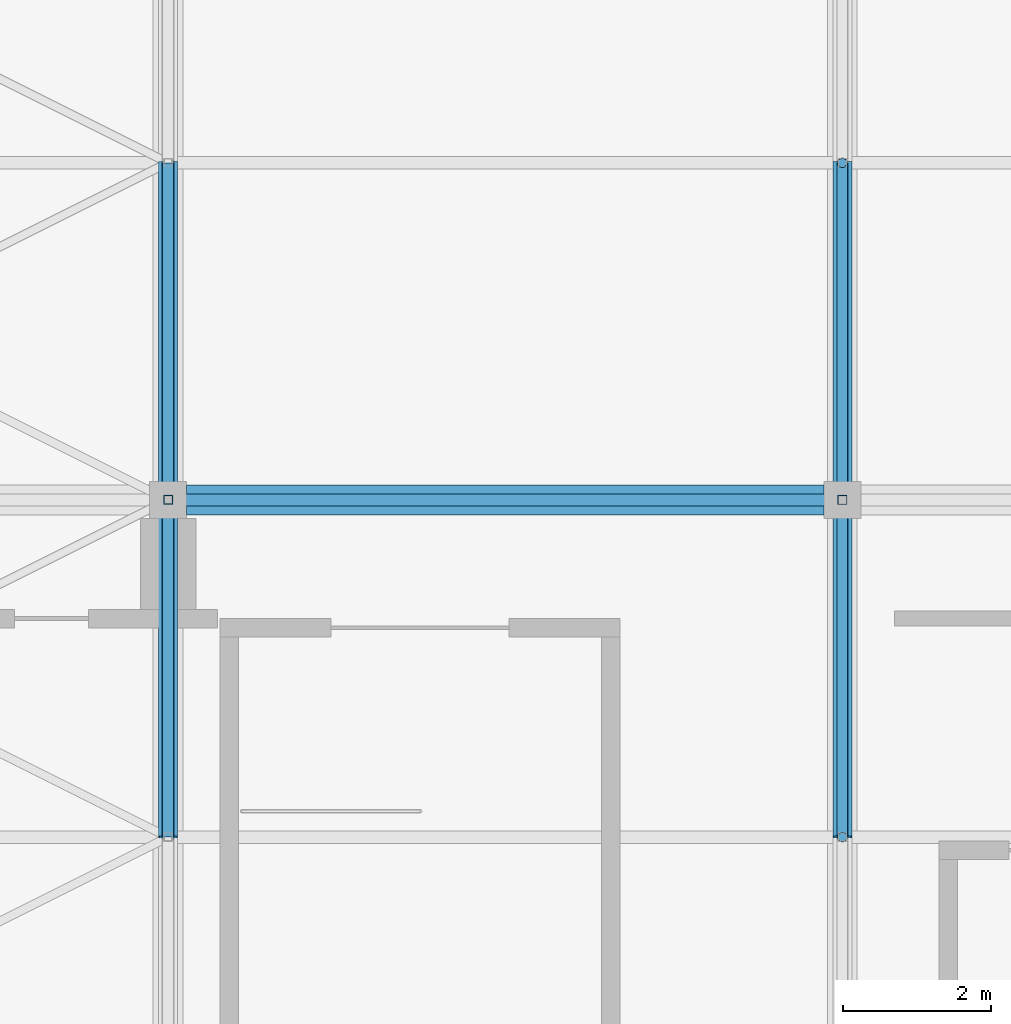
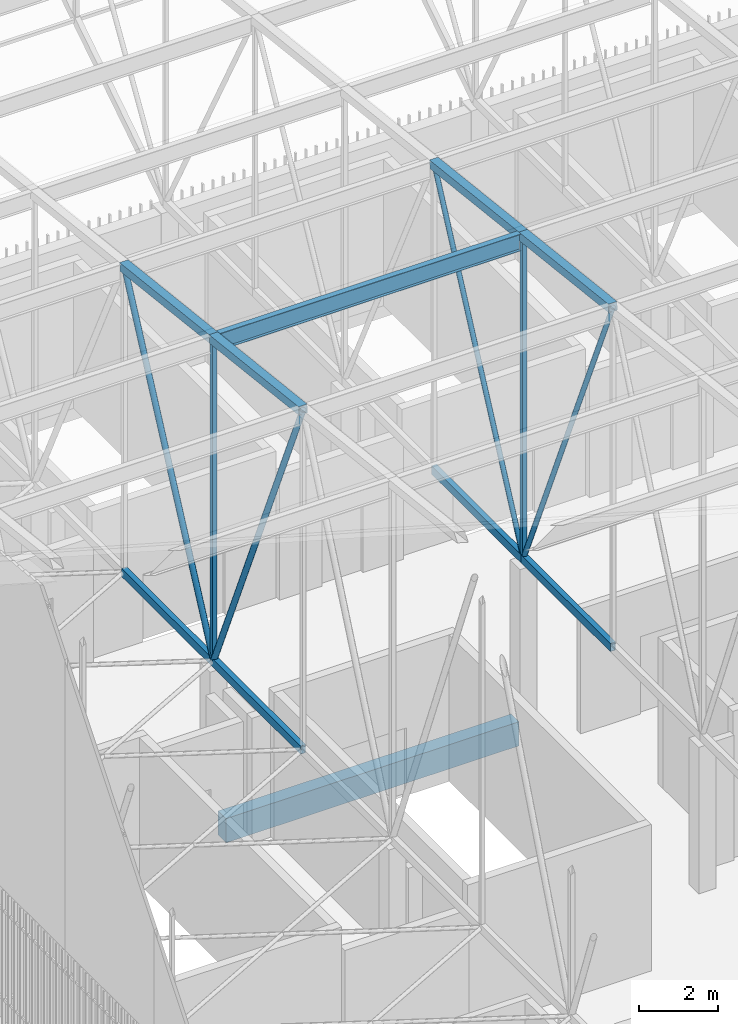
# One storey, part 221 of 500: 15 members, 1 beam.
"""IFC4 building model written with IfcOpenShell, lengths in metres."""

from ifc_helpers import new_model, si_unit, direction, frame, origin, origin_2d, place, context, subcontext, project, spatial, rectangle, hollow_rectangle, hollow_circle, i_section, extrude, material, material_profile, profile_set, type_object, element, save


model = new_model("IFC4")

# Units and contexts
model_context = context("Model", 3, precision=1e-05, world=origin(), true_north=direction((0.0, 1.0)))
body_context = subcontext(model_context, "Body", "Model", "MODEL_VIEW")
ifc_project = project(units=[si_unit("LENGTHUNIT", "METRE"), si_unit("AREAUNIT", "SQUARE_METRE"), si_unit("VOLUMEUNIT", "CUBIC_METRE"), si_unit("PLANEANGLEUNIT", "RADIAN"), si_unit("MASSUNIT", "GRAM", prefix="KILO")], contexts=[model_context])

# Site, building, storey
site_placement = place(None, origin())
site = spatial("IfcSite", under=ifc_project, at=site_placement, CompositionType="ELEMENT")
building_placement = place(site_placement, origin())
building = spatial("IfcBuilding", under=site, at=building_placement, Name="Shirokan Park Arena", CompositionType="ELEMENT")
storey_placement = place(building_placement, frame((0.0, 0.0, 29.1201171875)))
storey = spatial("IfcBuildingStorey", under=building, at=storey_placement, Name="L06", CompositionType="ELEMENT", Elevation=29.1201171875)

# Members
ifc_material_1 = material(Name="Steel ASTM A500 Grade C", Category="steel")
ifc_material_profile_1 = material_profile(ifc_material_1, hollow_rectangle(XDim=0.152099609375, YDim=0.25390625, WallThickness=0.009521484375, at=origin_2d()), Name="HSS254X152.4X9.5")
ifc_profile_set_1 = profile_set([ifc_material_profile_1], Name="Steel ASTM A500 Grade C")
member_type_1 = type_object("IfcMemberType", Name="Bottom chord HSS254X152.4X9.5", PredefinedType="CHORD", material=ifc_profile_set_1)
for number, where, z_axis, x_axis, name in (
    (1, (9.10009765625, 86.449951171875, 4.677001953125), (0.0, 1.0, 0.0), (-1.0, 0.0, 0.0), "Truss T02 bottom chord 22"),
    (2, (9.10009765625, 91.0, 4.677001953125), (0.0, 1.0, 0.0), (-1.0, 0.0, 0.0), "Truss T02 bottom chord 23"),
    (3, (18.199951171875, 86.449951171875, 4.677001953125), (0.0, 1.0, 0.0), (-1.0, 0.0, 0.0), "Truss T03 bottom chord 22"),
    (4, (18.199951171875, 91.0, 4.677001953125), (0.0, 1.0, 0.0), (-1.0, 0.0, 0.0), "Truss T03 bottom chord 23"),
):
    element("IfcMember", number, at=place(storey_placement, frame(where, z_axis=z_axis, x_axis=x_axis)), inside=storey, type_object=member_type_1, Name=name, PredefinedType="CHORD", context=body_context, shape_type="SweptSolid", body=[
        extrude(hollow_rectangle(XDim=0.152099609375, YDim=0.25390625, WallThickness=0.009521484375, at=origin_2d()), origin(), (0.0, 0.0, 1.0), 4.550048828125),
    ])
ifc_material_2 = material(Name="Steel ASTM A992", Category="steel")
ifc_material_profile_2 = material_profile(ifc_material_2, i_section(OverallWidth=0.166015625, OverallDepth=0.528076171875, WebThickness=0.009765625, FlangeThickness=0.013671875, at=origin_2d()), Name="W530X74")
ifc_profile_set_2 = profile_set([ifc_material_profile_2], Name="Steel ASTM A992")
member_type_2 = type_object("IfcMemberType", Name="Purlin W530X74", PredefinedType="PURLIN", material=ifc_profile_set_2)
member_1_placement = place(storey_placement, frame((9.22705078125, 91.0, 14.56591796875), z_axis=(1.0, 0.0, 0.0), x_axis=(0.0, 1.0, 0.0)))
element("IfcMember", 5, at=member_1_placement, inside=storey, type_object=member_type_2, Name="Purlin 23 bay 2", PredefinedType="PURLIN", context=body_context, shape_type="SweptSolid", body=[
    extrude(i_section(OverallWidth=0.166015625, OverallDepth=0.528076171875, WebThickness=0.009765625, FlangeThickness=0.013671875, at=origin_2d()), origin(), (0.0, 0.0, 1.0), 8.845947265625),
])

# Beam
ifc_material_3 = material(Name="Concrete C35", Category="concrete")
ifc_material_profile_3 = material_profile(ifc_material_3, rectangle(XDim=0.39990234375, YDim=0.75, at=origin_2d()), Name="400x750")
ifc_profile_set_3 = profile_set([ifc_material_profile_3], Name="Concrete C35")
beam_type = type_object("IfcBeamType", Name="RC girder 400x750", PredefinedType="BEAM", material=ifc_profile_set_3)
beam_placement = place(storey_placement, frame((9.35009765625, 91.0, -0.5751953125), z_axis=(1.0, 0.0, 0.0), x_axis=(0.0, 1.0, 0.0)))
element("IfcBeam", 6, at=beam_placement, inside=storey, type_object=beam_type, Name="Girder 2L-3L L06", PredefinedType="BEAM", context=body_context, shape_type="SweptSolid", body=[
    extrude(rectangle(XDim=0.39990234375, YDim=0.75, at=origin_2d()), origin(), (0.0, 0.0, 1.0), 8.599853515625),
])

# Members
ifc_material_profile_4 = material_profile(ifc_material_1, hollow_rectangle(XDim=0.25390625, YDim=0.25390625, WallThickness=0.009521484375, at=origin_2d()), Name="HSS254X254X9.5")
ifc_profile_set_4 = profile_set([ifc_material_profile_4], Name="Steel ASTM A500 Grade C")
member_type_3 = type_object("IfcMemberType", Name="Top chord HSS254X254X9.5", PredefinedType="CHORD", material=ifc_profile_set_4)
for number, where, z_axis, x_axis, name in (
    (7, (9.10009765625, 86.449951171875, 15.222900390625), (0.0, 0.993532328996, -0.113549598152), (-1.0, 0.0, 0.0), "Truss T02 top chord 22"),
    (8, (9.10009765625, 91.0, 14.702880859375), (0.0, 0.993532328996, -0.113549598152), (-1.0, 0.0, 0.0), "Truss T02 top chord 23"),
    (9, (18.199951171875, 86.449951171875, 15.222900390625), (0.0, 0.993532328996, -0.113549598152), (-1.0, 0.0, 0.0), "Truss T03 top chord 22"),
    (10, (18.199951171875, 91.0, 14.702880859375), (0.0, 0.993532328996, -0.113549598152), (-1.0, 0.0, 0.0), "Truss T03 top chord 23"),
):
    element("IfcMember", number, at=place(storey_placement, frame(where, z_axis=z_axis, x_axis=x_axis)), inside=storey, type_object=member_type_3, Name=name, PredefinedType="CHORD", context=body_context, shape_type="SweptSolid", body=[
        extrude(hollow_rectangle(XDim=0.25390625, YDim=0.25390625, WallThickness=0.009521484375, at=origin_2d()), origin(), (0.0, 0.0, 1.0), 4.57958984375),
    ])
ifc_material_profile_5 = material_profile(ifc_material_1, hollow_circle(Radius=0.070556640625, WallThickness=0.006591796875, at=origin_2d()), Name="HSS141.3X6.6")
ifc_profile_set_5 = profile_set([ifc_material_profile_5], Name="Steel ASTM A500 Grade C")
member_type_4 = type_object("IfcMemberType", Name="Truss diagonal HSS141.3X6.6", PredefinedType="BRACE", material=ifc_profile_set_5)
member_2_placement = place(storey_placement, frame((18.199951171875, 86.449951171875, 15.222900390625), z_axis=(0.0, 0.396152605513, -0.918184683572), x_axis=(-1.0, 0.0, 0.0)))
element("IfcMember", 11, at=member_2_placement, inside=storey, type_object=member_type_4, Name="Truss T03 diagonal 22", PredefinedType="BRACE", context=body_context, shape_type="SweptSolid", body=[
    extrude(hollow_circle(Radius=0.070556640625, WallThickness=0.006591796875, at=origin_2d()), origin(), (0.0, 0.0, 1.0), 11.485595703125),
])
member_3_placement = place(storey_placement, frame((18.199951171875, 91.0, 4.677001953125), z_axis=(0.0, 0.431746476626, 0.901994999942), x_axis=(-1.0, 0.0, 0.0)))
element("IfcMember", 12, at=member_3_placement, inside=storey, type_object=member_type_4, Name="Truss T03 diagonal 23", PredefinedType="BRACE", context=body_context, shape_type="SweptSolid", body=[
    extrude(hollow_circle(Radius=0.070556640625, WallThickness=0.006591796875, at=origin_2d()), origin(), (0.0, 0.0, 1.0), 10.538818359375),
])
ifc_material_profile_6 = material_profile(ifc_material_1, hollow_circle(Radius=0.083984375, WallThickness=0.009521484375, at=origin_2d()), Name="HSS168.3X9.5")
ifc_profile_set_6 = profile_set([ifc_material_profile_6], Name="Steel ASTM A500 Grade C")
member_type_5 = type_object("IfcMemberType", Name="Truss diagonal HSS168.3X9.5", PredefinedType="BRACE", material=ifc_profile_set_6)
member_4_placement = place(storey_placement, frame((9.10009765625, 86.449951171875, 15.222900390625), z_axis=(0.0, 0.396152605513, -0.918184683572), x_axis=(-1.0, 0.0, 0.0)))
element("IfcMember", 13, at=member_4_placement, inside=storey, type_object=member_type_5, Name="Truss T02 diagonal 22", PredefinedType="BRACE", context=body_context, shape_type="SweptSolid", body=[
    extrude(hollow_circle(Radius=0.083984375, WallThickness=0.009521484375, at=origin_2d()), origin(), (0.0, 0.0, 1.0), 11.485595703125),
])
member_5_placement = place(storey_placement, frame((9.10009765625, 91.0, 4.677001953125), z_axis=(0.0, 0.431746476626, 0.901994999942), x_axis=(-1.0, 0.0, 0.0)))
element("IfcMember", 14, at=member_5_placement, inside=storey, type_object=member_type_5, Name="Truss T02 diagonal 23", PredefinedType="BRACE", context=body_context, shape_type="SweptSolid", body=[
    extrude(hollow_circle(Radius=0.083984375, WallThickness=0.009521484375, at=origin_2d()), origin(), (0.0, 0.0, 1.0), 10.538818359375),
])
ifc_material_profile_7 = material_profile(ifc_material_1, hollow_rectangle(XDim=0.126953125, YDim=0.126953125, WallThickness=0.0126953125, at=origin_2d()), Name="HSS127X127X12.7")
ifc_profile_set_7 = profile_set([ifc_material_profile_7], Name="Steel ASTM A500 Grade C")
member_type_6 = type_object("IfcMemberType", Name="Truss post HSS127X127X12.7", PredefinedType="POST", material=ifc_profile_set_7)
member_6_placement = place(storey_placement, frame((9.10009765625, 91.0, 4.677001953125), z_axis=(0.0, 0.0, 1.0), x_axis=(1.0, 0.0, 0.0)))
element("IfcMember", 15, at=member_6_placement, inside=storey, type_object=member_type_6, Name="Truss T02 post 23", PredefinedType="POST", context=body_context, shape_type="SweptSolid", body=[
    extrude(hollow_rectangle(XDim=0.126953125, YDim=0.126953125, WallThickness=0.0126953125, at=origin_2d()), origin(), (0.0, 0.0, 1.0), 10.02587890625),
])
ifc_material_profile_8 = material_profile(ifc_material_1, hollow_rectangle(XDim=0.126953125, YDim=0.126953125, WallThickness=0.008056640625, at=origin_2d()), Name="HSS127X127X7.9")
ifc_profile_set_8 = profile_set([ifc_material_profile_8], Name="Steel ASTM A500 Grade C")
member_type_7 = type_object("IfcMemberType", Name="Truss post HSS127X127X7.9", PredefinedType="POST", material=ifc_profile_set_8)
member_7_placement = place(storey_placement, frame((18.199951171875, 91.0, 4.677001953125), z_axis=(0.0, 0.0, 1.0), x_axis=(1.0, 0.0, 0.0)))
element("IfcMember", 16, at=member_7_placement, inside=storey, type_object=member_type_7, Name="Truss T03 post 23", PredefinedType="POST", context=body_context, shape_type="SweptSolid", body=[
    extrude(hollow_rectangle(XDim=0.126953125, YDim=0.126953125, WallThickness=0.008056640625, at=origin_2d()), origin(), (0.0, 0.0, 1.0), 10.02587890625),
])

save(model, "model.ifc")
